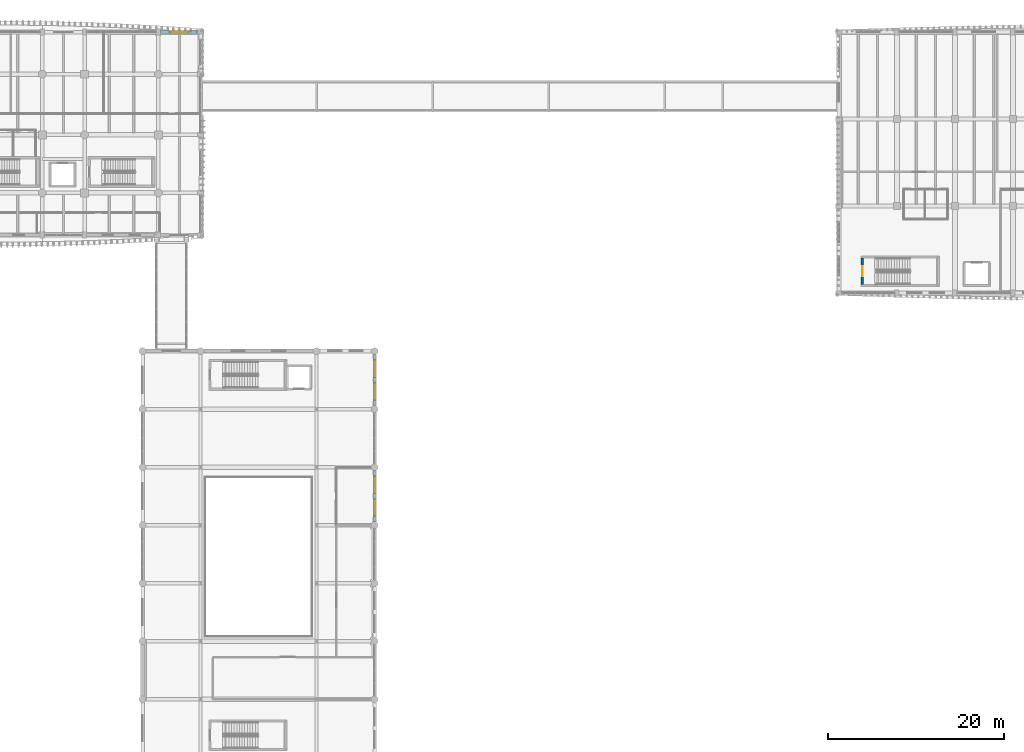
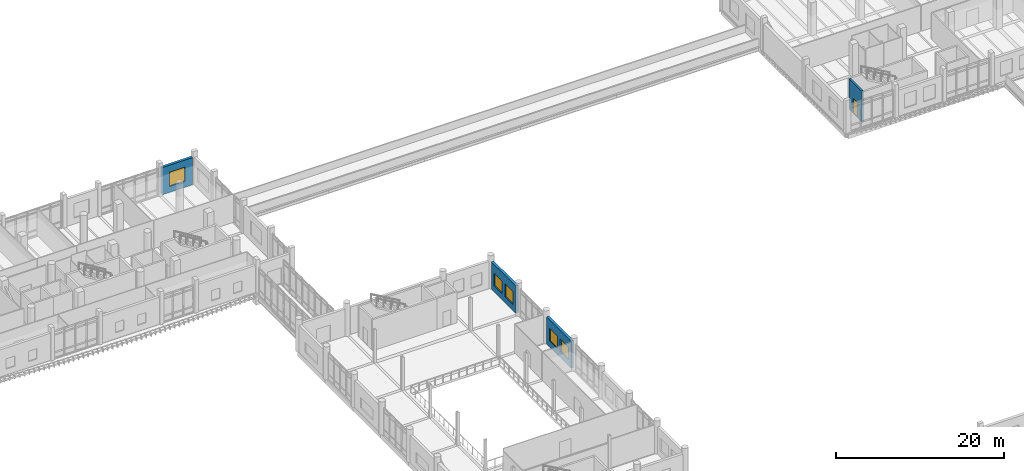
# One storey, part 72 of 101: 5 windows, 4 walls, 1 door, 6 openings.
"""IFC4 building model written with IfcOpenShell, lengths in metres."""

from ifc_helpers import new_model, si_unit, direction, frame, frame_2d, origin, place, context, subcontext, project, spatial, rectangle, extrude, material, layer, layer_set, type_object, element, fill, save


model = new_model("IFC4")

# Units and contexts
model_context = context("Model", 3, precision=1e-05, world=origin(), true_north=direction((0.0, 1.0)))
body_context = subcontext(model_context, "Body", "Model", "MODEL_VIEW")
ifc_project = project(units=[si_unit("LENGTHUNIT", "METRE"), si_unit("AREAUNIT", "SQUARE_METRE"), si_unit("VOLUMEUNIT", "CUBIC_METRE"), si_unit("PLANEANGLEUNIT", "RADIAN"), si_unit("MASSUNIT", "GRAM", prefix="KILO")], contexts=[model_context])

# Site, building, storey
site_placement = place(None, origin())
site = spatial("IfcSite", under=ifc_project, at=site_placement, CompositionType="ELEMENT")
building_placement = place(site_placement, origin())
building = spatial("IfcBuilding", under=site, at=building_placement, Name="Dornvale Research Institute", CompositionType="ELEMENT")
storey_placement = place(building_placement, frame((0.0, 0.0, 10.199951171875)))
storey = spatial("IfcBuildingStorey", under=building, at=storey_placement, Name="L02", CompositionType="ELEMENT", Elevation=10.199951171875)

# Wall, opening, door
ifc_material_1 = material(Name="Concrete f'c 45 MPa (C35/45)", Category="concrete")
ifc_layer_1 = layer(ifc_material_1, 0.25)
ifc_layer_set_1 = layer_set([ifc_layer_1], Name="Concrete f'c 45 MPa (C35/45)")
wall_type_1 = type_object("IfcWallType", Name="ShearWall_Core_250", PredefinedType="SHEAR", material=ifc_layer_set_1)
wall_1_placement = place(storey_placement, frame((121.47509765625, 93.39990234375, 0.0), z_axis=(0.0, 0.0, 1.0), x_axis=(0.0, 1.0, 0.0)))
wall_1 = element("IfcWall", 1, at=wall_1_placement, inside=storey, type_object=wall_type_1, Name="L02 ST-3 shaft shear wall west", PredefinedType="SHEAR", context=body_context, shape_type="SweptSolid", body=[
    extrude(rectangle(XDim=3.0, YDim=0.25, at=frame_2d((1.5, 0.0))), origin(), (0.0, 0.0, 1.0), 4.4599609375),
])
opening_1_placement = place(wall_1_placement, frame((0.93994140625, 0.0, 0.0)))
opening_1 = element("IfcOpeningElement", 2, at=opening_1_placement, cuts=wall_1, Name="Opening SD-01", PredefinedType="OPENING", context=body_context, shape_type="SweptSolid", body=[
    extrude(rectangle(XDim=1.1201171875, YDim=2.199951171875, at=frame_2d((0.56005859375, 1.10009765625))), frame((0.0, 0.139892578125, 0.0), z_axis=(0.0, -1.0, 0.0), x_axis=(1.0, 0.0, 0.0)), (0.0, 0.0, 1.0), 0.280029296875),
])
ifc_material_2 = material(Name="Insulated Fire-Rated Hollow Metal Door Assembly")
door_type = type_object("IfcDoorType", Name="Door_Stair_1120x2200", OperationType="SINGLE_SWING_LEFT", PredefinedType="DOOR", material=ifc_material_2)
door_placement = place(opening_1_placement, origin())
door = element("IfcDoor", 3, at=door_placement, inside=storey, type_object=door_type, Name="L02 ST-3 exit stair door #28", OperationType="SINGLE_SWING_RIGHT", OverallHeight=2.199951171875, OverallWidth=1.1201171875, PredefinedType="DOOR", context=body_context, shape_type="SweptSolid", body=[
    extrude(rectangle(XDim=1.1201171875, YDim=2.199951171875, at=frame_2d((0.56005859375, 1.10009765625))), frame((0.0, 0.02490234375, 0.0), z_axis=(0.0, -1.0, 0.0), x_axis=(1.0, 0.0, 0.0)), (0.0, 0.0, 1.0), 0.050048828125),
])
fill(opening_1, door)

# Wall, openings, windows
ifc_material_3 = material(Name="Catalan Pressed Brick and Insulated Cavity Assembly", Category="masonry")
ifc_layer_2 = layer(ifc_material_3, 0.360107421875)
ifc_layer_set_2 = layer_set([ifc_layer_2], Name="Catalan Pressed Brick and Insulated Cavity Assembly")
wall_type_2 = type_object("IfcWallType", Name="StandardWall_BrickCavity_360", PredefinedType="STANDARD", material=ifc_layer_set_2)
wall_2_placement = place(storey_placement, frame((66.0, 85.405029296875, 0.0), z_axis=(0.0, 0.0, 1.0), x_axis=(0.0, -1.0, 0.0)))
wall_2 = element("IfcWall", 4, at=wall_2_placement, inside=storey, type_object=wall_type_2, Name="L02 V2 east exterior wall #88", PredefinedType="STANDARD", context=body_context, shape_type="SweptSolid", body=[
    extrude(rectangle(XDim=5.81005859375, YDim=0.360107421875, at=frame_2d((2.905029296875, 0.0))), origin(), (0.0, 0.0, 1.0), 3.949951171875),
])
opening_2_placement = place(wall_2_placement, frame((0.63671875, 0.0, 0.85009765625)))
opening_2 = element("IfcOpeningElement", 5, at=opening_2_placement, cuts=wall_2, Name="Opening W-18", PredefinedType="OPENING", context=body_context, shape_type="SweptSolid", body=[
    extrude(rectangle(XDim=1.949951171875, YDim=1.860107421875, at=frame_2d((0.97509765625, 0.93017578125))), frame((0.0, 0.195068359375, 0.0), z_axis=(0.0, -1.0, 0.0), x_axis=(1.0, 0.0, 0.0)), (0.0, 0.0, 1.0), 0.39013671875),
])
opening_3_placement = place(wall_2_placement, frame((3.223388671875, 0.0, 0.85009765625)))
opening_3 = element("IfcOpeningElement", 6, at=opening_3_placement, cuts=wall_2, Name="Opening W-18", PredefinedType="OPENING", context=body_context, shape_type="SweptSolid", body=[
    extrude(rectangle(XDim=1.949951171875, YDim=1.860107421875, at=frame_2d((0.97509765625, 0.93017578125))), frame((0.0, 0.195068359375, 0.0), z_axis=(0.0, -1.0, 0.0), x_axis=(1.0, 0.0, 0.0)), (0.0, 0.0, 1.0), 0.39013671875),
])
ifc_material_4 = material(Name="Low-E Argon Double Insulating Glazing Unit", Category="glass")
window_type_1 = type_object("IfcWindowType", Name="Window_Alu_1950x1860_18", PartitioningType="DOUBLE_PANEL_VERTICAL", PredefinedType="WINDOW", material=ifc_material_4)
window_1_placement = place(opening_2_placement, origin())
window_1 = element("IfcWindow", 7, at=window_1_placement, inside=storey, type_object=window_type_1, Name="L02 V2 facade window W-18 #107", OverallHeight=1.860107421875, OverallWidth=1.949951171875, PartitioningType="DOUBLE_PANEL_VERTICAL", PredefinedType="WINDOW", context=body_context, shape_type="SweptSolid", body=[
    extrude(rectangle(XDim=1.949951171875, YDim=1.860107421875, at=frame_2d((0.97509765625, 0.93017578125))), frame((0.0, 0.030029296875, 0.0), z_axis=(0.0, -1.0, 0.0), x_axis=(1.0, 0.0, 0.0)), (0.0, 0.0, 1.0), 0.06005859375),
])
fill(opening_2, window_1)
window_2_placement = place(opening_3_placement, origin())
window_2 = element("IfcWindow", 8, at=window_2_placement, inside=storey, type_object=window_type_1, Name="L02 V2 facade window W-18 #108", OverallHeight=1.860107421875, OverallWidth=1.949951171875, PartitioningType="DOUBLE_PANEL_VERTICAL", PredefinedType="WINDOW", context=body_context, shape_type="SweptSolid", body=[
    extrude(rectangle(XDim=1.949951171875, YDim=1.860107421875, at=frame_2d((0.97509765625, 0.93017578125))), frame((0.0, 0.030029296875, 0.0), z_axis=(0.0, -1.0, 0.0), x_axis=(1.0, 0.0, 0.0)), (0.0, 0.0, 1.0), 0.06005859375),
])
fill(opening_3, window_2)

wall_3_placement = place(storey_placement, frame((66.0, 72.205078125, 0.0), z_axis=(0.0, 0.0, 1.0), x_axis=(0.0, -1.0, 0.0)))
wall_3 = element("IfcWall", 9, at=wall_3_placement, inside=storey, type_object=wall_type_2, Name="L02 V2 east exterior wall #89", PredefinedType="STANDARD", context=body_context, shape_type="SweptSolid", body=[
    extrude(rectangle(XDim=5.81005859375, YDim=0.360107421875, at=frame_2d((2.905029296875, 0.0))), origin(), (0.0, 0.0, 1.0), 3.949951171875),
])
opening_4_placement = place(wall_3_placement, frame((0.63671875, 0.0, 0.85009765625)))
opening_4 = element("IfcOpeningElement", 10, at=opening_4_placement, cuts=wall_3, Name="Opening W-18", PredefinedType="OPENING", context=body_context, shape_type="SweptSolid", body=[
    extrude(rectangle(XDim=1.949951171875, YDim=1.860107421875, at=frame_2d((0.97509765625, 0.93017578125))), frame((0.0, 0.195068359375, 0.0), z_axis=(0.0, -1.0, 0.0), x_axis=(1.0, 0.0, 0.0)), (0.0, 0.0, 1.0), 0.39013671875),
])
opening_5_placement = place(wall_3_placement, frame((3.223388671875, 0.0, 0.85009765625)))
opening_5 = element("IfcOpeningElement", 11, at=opening_5_placement, cuts=wall_3, Name="Opening W-18", PredefinedType="OPENING", context=body_context, shape_type="SweptSolid", body=[
    extrude(rectangle(XDim=1.949951171875, YDim=1.860107421875, at=frame_2d((0.97509765625, 0.93017578125))), frame((0.0, 0.195068359375, 0.0), z_axis=(0.0, -1.0, 0.0), x_axis=(1.0, 0.0, 0.0)), (0.0, 0.0, 1.0), 0.39013671875),
])
window_3_placement = place(opening_4_placement, origin())
window_3 = element("IfcWindow", 12, at=window_3_placement, inside=storey, type_object=window_type_1, Name="L02 V2 facade window W-18 #109", OverallHeight=1.860107421875, OverallWidth=1.949951171875, PartitioningType="DOUBLE_PANEL_VERTICAL", PredefinedType="WINDOW", context=body_context, shape_type="SweptSolid", body=[
    extrude(rectangle(XDim=1.949951171875, YDim=1.860107421875, at=frame_2d((0.97509765625, 0.93017578125))), frame((0.0, 0.030029296875, 0.0), z_axis=(0.0, -1.0, 0.0), x_axis=(1.0, 0.0, 0.0)), (0.0, 0.0, 1.0), 0.06005859375),
])
fill(opening_4, window_3)
window_4_placement = place(opening_5_placement, origin())
window_4 = element("IfcWindow", 13, at=window_4_placement, inside=storey, type_object=window_type_1, Name="L02 V2 facade window W-18 #110", OverallHeight=1.860107421875, OverallWidth=1.949951171875, PartitioningType="DOUBLE_PANEL_VERTICAL", PredefinedType="WINDOW", context=body_context, shape_type="SweptSolid", body=[
    extrude(rectangle(XDim=1.949951171875, YDim=1.860107421875, at=frame_2d((0.97509765625, 0.93017578125))), frame((0.0, 0.030029296875, 0.0), z_axis=(0.0, -1.0, 0.0), x_axis=(1.0, 0.0, 0.0)), (0.0, 0.0, 1.0), 0.06005859375),
])
fill(opening_5, window_4)

# Wall, opening, window
wall_4_placement = place(storey_placement, frame((41.64990234375, 122.10009765625, 0.0), z_axis=(0.0, 0.0, 1.0), x_axis=(1.0, 0.0, 0.0)))
wall_4 = element("IfcWall", 14, at=wall_4_placement, inside=storey, type_object=wall_type_2, Name="L02 V5 north exterior wall #325", PredefinedType="STANDARD", context=body_context, shape_type="SweptSolid", body=[
    extrude(rectangle(XDim=4.2001953125, YDim=0.360107421875, at=frame_2d((2.10009765625, 0.0))), origin(), (0.0, 0.0, 1.0), 3.949951171875),
])
opening_6_placement = place(wall_4_placement, frame((1.050048828125, 0.0, 0.85009765625)))
opening_6 = element("IfcOpeningElement", 15, at=opening_6_placement, cuts=wall_4, Name="Opening W-43", PredefinedType="OPENING", context=body_context, shape_type="SweptSolid", body=[
    extrude(rectangle(XDim=2.10009765625, YDim=2.080078125, at=frame_2d((1.050048828125, 1.0400390625))), frame((0.0, 0.195068359375, 0.0), z_axis=(0.0, -1.0, 0.0), x_axis=(1.0, 0.0, 0.0)), (0.0, 0.0, 1.0), 0.39013671875),
])
ifc_material_5 = material(Name="Low-E Argon Double Insulating Glazing Unit", Category="glass")
window_type_2 = type_object("IfcWindowType", Name="Window_Alu_2100x2080_43", PartitioningType="DOUBLE_PANEL_VERTICAL", PredefinedType="WINDOW", material=ifc_material_5)
window_5_placement = place(opening_6_placement, origin())
window_5 = element("IfcWindow", 16, at=window_5_placement, inside=storey, type_object=window_type_2, Name="L02 V5 facade window W-43 #441", OverallHeight=2.080078125, OverallWidth=2.10009765625, PartitioningType="DOUBLE_PANEL_VERTICAL", PredefinedType="WINDOW", context=body_context, shape_type="SweptSolid", body=[
    extrude(rectangle(XDim=2.10009765625, YDim=2.080078125, at=frame_2d((1.050048828125, 1.0400390625))), frame((0.0, 0.030029296875, 0.0), z_axis=(0.0, -1.0, 0.0), x_axis=(1.0, 0.0, 0.0)), (0.0, 0.0, 1.0), 0.06005859375),
])
fill(opening_6, window_5)

save(model, "model.ifc")
